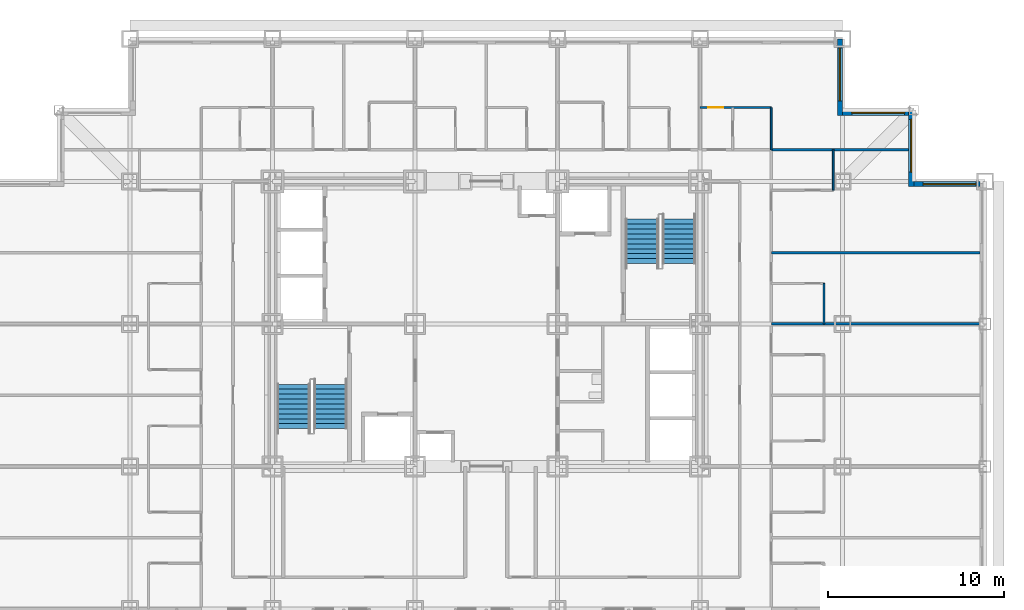
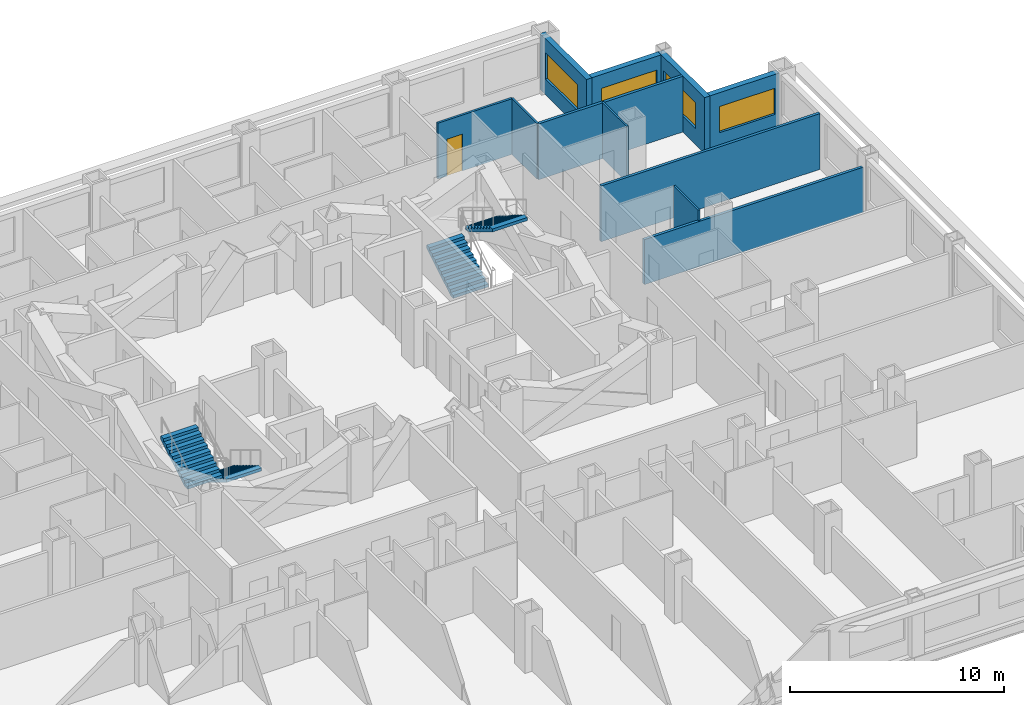
# One storey, part 10 of 12: 11 walls, 4 stair flights, 4 windows, 1 door, 5 openings, 2 elements without a shape of their own.
"""IFC4 building model written with IfcOpenShell, lengths in metres."""

from ifc_helpers import new_model, si_unit, direction, frame, frame_2d, origin, place, context, subcontext, project, spatial, rectangle, extrude, polygons, source, transform, mapped, material, layer, layer_set, type_object, element, fill, aggregate, save


model = new_model("IFC4")

# Units and contexts
model_context = context("Model", 3, precision=1e-05, world=origin(), true_north=direction((0.0, 1.0)))
body_context = subcontext(model_context, "Body", "Model", "MODEL_VIEW")
ifc_project = project(units=[si_unit("LENGTHUNIT", "METRE"), si_unit("AREAUNIT", "SQUARE_METRE"), si_unit("VOLUMEUNIT", "CUBIC_METRE"), si_unit("PLANEANGLEUNIT", "RADIAN"), si_unit("MASSUNIT", "GRAM", prefix="KILO")], contexts=[model_context])

# Site, building, storey
site_placement = place(None, origin())
site = spatial("IfcSite", under=ifc_project, at=site_placement, CompositionType="ELEMENT")
building_placement = place(site_placement, origin())
building = spatial("IfcBuilding", under=site, at=building_placement, Name="Kopane Lantern Tower", CompositionType="ELEMENT")
storey_placement = place(building_placement, frame((0.0, 0.0, 39.800048828125)))
storey = spatial("IfcBuildingStorey", under=building, at=storey_placement, Name="L08", CompositionType="ELEMENT", Elevation=39.800048828125)

# Wall, opening, door
ifc_material_1 = material(Name="Gypsum board on steel studs", Category="steel")
ifc_layer_1 = layer(ifc_material_1, 0.1201171875)
ifc_layer_set_1 = layer_set([ifc_layer_1], Name="APARTMENT INTERNAL WALL 120")
wall_type_1 = type_object("IfcWallType", Name="APARTMENT INTERNAL WALL 120", PredefinedType="PARTITIONING", material=ifc_layer_set_1)
wall_1_placement = place(storey_placement, frame((40.5, 44.699951171875, 0.0), z_axis=(0.0, 0.0, 1.0), x_axis=(1.0, 0.0, 0.0)))
wall_1 = element("IfcWall", 1, at=wall_1_placement, inside=storey, type_object=wall_type_1, Name="Apartment Internal Wall 120 L08", PredefinedType="PARTITIONING", context=body_context, shape_type="SweptSolid", body=[
    extrude(rectangle(XDim=4.050048828125, YDim=0.1201171875, at=frame_2d((2.02490234375, 0.0))), origin(), (0.0, 0.0, 1.0), 3.18994140625),
])
opening_1_placement = place(wall_1_placement, frame((0.47509765625, 0.0, 0.0)))
opening_1 = element("IfcOpeningElement", 2, at=opening_1_placement, cuts=wall_1, Name="Opening L08-071", PredefinedType="OPENING", context=body_context, shape_type="SweptSolid", body=[
    extrude(rectangle(XDim=0.85009765625, YDim=2.10009765625, at=frame_2d((0.425048828125, 1.050048828125))), frame((0.0, 0.070068359375, 0.0), z_axis=(0.0, -1.0, 0.0), x_axis=(1.0, 0.0, 0.0)), (0.0, 0.0, 1.0), 0.14013671875),
])
ifc_material_2 = material(Name="Timber door set", Category="wood")
door_type = type_object("IfcDoorType", Name="DOOR D4 850x2100", OperationType="SINGLE_SWING_LEFT", PredefinedType="DOOR", material=ifc_material_2)
door_placement = place(opening_1_placement, origin())
door = element("IfcDoor", 3, at=door_placement, inside=storey, type_object=door_type, Name="Door L08-071", OperationType="SINGLE_SWING_LEFT", OverallHeight=2.10009765625, OverallWidth=0.85009765625, PredefinedType="DOOR", context=body_context, shape_type="SweptSolid", body=[
    extrude(rectangle(XDim=0.85009765625, YDim=2.10009765625, at=frame_2d((0.425048828125, 1.050048828125))), frame((0.0, 0.02490234375, 0.0), z_axis=(0.0, -1.0, 0.0), x_axis=(1.0, 0.0, 0.0)), (0.0, 0.0, 1.0), 0.050048828125),
])
fill(opening_1, door)

# Walls
ifc_material_3 = material(Name="Moisture-resistant board on steel studs", Category="steel")
ifc_layer_2 = layer(ifc_material_3, 0.10009765625)
ifc_layer_set_2 = layer_set([ifc_layer_2], Name="BATHROOM WALL 100")
wall_type_2 = type_object("IfcWallType", Name="BATHROOM WALL 100", PredefinedType="PARTITIONING", material=ifc_layer_set_2)
for number, where, z_axis, x_axis, name in (
    (4, (47.550048828125, 32.39990234375, 0.0), (0.0, 0.0, 1.0), (0.0, 1.0, 0.0), "Bathroom Wall 100 L08"),
    (5, (48.06494140625, 40.0, 0.0), (0.0, 0.0, 1.0), (0.0, 1.0, 0.0), "Bathroom Wall 100 L08"),
):
    element("IfcWall", number, at=place(storey_placement, frame(where, z_axis=z_axis, x_axis=x_axis)), inside=storey, type_object=wall_type_2, Name=name, PredefinedType="PARTITIONING", context=body_context, shape_type="SweptSolid", body=[
        extrude(rectangle(XDim=2.300048828125, YDim=0.10009765625, at=frame_2d((1.14990234375, 0.0))), origin(), (0.0, 0.0, 1.0), 3.18994140625),
    ])
wall_2_placement = place(storey_placement, frame((44.550048828125, 42.300048828125, 0.0), z_axis=(0.0, 0.0, 1.0), x_axis=(0.0, 1.0, 0.0)))
element("IfcWall", 6, at=wall_2_placement, inside=storey, type_object=wall_type_2, Name="Bathroom Wall 100 L08", PredefinedType="PARTITIONING", context=body_context, shape_type="SweptSolid", body=[
    extrude(rectangle(XDim=2.39990234375, YDim=0.10009765625, at=frame_2d((1.199951171875, 0.0))), origin(), (0.0, 0.0, 1.0), 3.18994140625),
])
ifc_material_4 = material(Name="Gypsum board on steel studs", Category="steel")
ifc_layer_3 = layer(ifc_material_4, 0.14990234375)
ifc_layer_set_3 = layer_set([ifc_layer_3], Name="DEMISING WALL 150 EI 60")
wall_type_3 = type_object("IfcWallType", Name="DEMISING WALL 150 EI 60", PredefinedType="PARTITIONING", material=ifc_layer_set_3)
wall_3_placement = place(storey_placement, frame((44.550048828125, 32.39990234375, 0.0), z_axis=(0.0, 0.0, 1.0), x_axis=(1.0, 0.0, 0.0)))
element("IfcWall", 7, at=wall_3_placement, inside=storey, type_object=wall_type_3, Name="Demising Wall 150 Ei 60 L08", PredefinedType="PARTITIONING", context=body_context, shape_type="SweptSolid", body=[
    extrude(rectangle(XDim=11.849853515625, YDim=0.14990234375, at=frame_2d((5.9248046875, 0.0))), origin(), (0.0, 0.0, 1.0), 2.57763671875),
])
wall_4_placement = place(storey_placement, frame((44.550048828125, 36.449951171875, 0.0), z_axis=(0.0, 0.0, 1.0), x_axis=(1.0, 0.0, 0.0)))
element("IfcWall", 8, at=wall_4_placement, inside=storey, type_object=wall_type_3, Name="Demising Wall 150 Ei 60 L08", PredefinedType="PARTITIONING", context=body_context, shape_type="SweptSolid", body=[
    extrude(rectangle(XDim=11.849853515625, YDim=0.14990234375, at=frame_2d((5.9248046875, 0.0))), origin(), (0.0, 0.0, 1.0), 3.18994140625),
])
wall_5_placement = place(storey_placement, frame((44.550048828125, 42.300048828125, 0.0), z_axis=(0.0, 0.0, 1.0), x_axis=(1.0, 0.0, 0.0)))
element("IfcWall", 9, at=wall_5_placement, inside=storey, type_object=wall_type_3, Name="Demising Wall 150 Ei 60 L08", PredefinedType="PARTITIONING", context=body_context, shape_type="SweptSolid", body=[
    extrude(rectangle(XDim=7.800048828125, YDim=0.14990234375, at=frame_2d((3.89990234375, 0.0))), origin(), (0.0, 0.0, 1.0), 3.18994140625),
])

# Wall, opening, window
ifc_material_5 = material(Name="Terracotta rainscreen on light steel framing", Category="masonry")
ifc_layer_4 = layer(ifc_material_5, 0.300048828125)
ifc_layer_set_4 = layer_set([ifc_layer_4], Name="EXTERNAL WALL EW1 300 TERRACOTTA")
wall_type_4 = type_object("IfcWallType", Name="EXTERNAL WALL EW1 300 TERRACOTTA", PredefinedType="SOLIDWALL", material=ifc_layer_set_4)
wall_6_placement = place(storey_placement, frame((56.39990234375, 40.35009765625, 0.0), z_axis=(0.0, 0.0, 1.0), x_axis=(-1.0, 0.0, 0.0)))
wall_6 = element("IfcWall", 10, at=wall_6_placement, inside=storey, type_object=wall_type_4, Name="External wall N L08", PredefinedType="SOLIDWALL", context=body_context, shape_type="SweptSolid", body=[
    extrude(rectangle(XDim=3.75, YDim=0.300048828125, at=frame_2d((1.875, 0.0))), origin(), (0.0, 0.0, 1.0), 3.18994140625),
])
opening_2_placement = place(wall_6_placement, frame((0.22509765625, 0.0, 0.89990234375)))
opening_2 = element("IfcOpeningElement", 11, at=opening_2_placement, cuts=wall_6, Name="Opening WR300150", PredefinedType="OPENING", context=body_context, shape_type="SweptSolid", body=[
    extrude(rectangle(XDim=3.0, YDim=1.5, at=frame_2d((1.5, 0.75))), frame((0.0, 0.159912109375, 0.0), z_axis=(0.0, -1.0, 0.0), x_axis=(1.0, 0.0, 0.0)), (0.0, 0.0, 1.0), 0.320068359375),
])
ifc_material_6 = material(Name="Aluminium and clear glass", Category="aluminium")
window_type = type_object("IfcWindowType", Name="RIBBON WINDOW WR300150 3000x1500", PartitioningType="SINGLE_PANEL", PredefinedType="WINDOW", material=ifc_material_6)
window_1_placement = place(opening_2_placement, origin())
window_1 = element("IfcWindow", 12, at=window_1_placement, inside=storey, type_object=window_type, Name="Window N L08", OverallHeight=1.5, OverallWidth=3.0, PartitioningType="SINGLE_PANEL", PredefinedType="WINDOW", context=body_context, shape_type="SweptSolid", body=[
    extrude(rectangle(XDim=3.0, YDim=1.5, at=frame_2d((1.5, 0.75))), frame((0.0, 0.030029296875, 0.0), z_axis=(0.0, -1.0, 0.0), x_axis=(1.0, 0.0, 0.0)), (0.0, 0.0, 1.0), 0.06005859375),
])
fill(opening_2, window_1)

wall_7_placement = place(storey_placement, frame((52.5, 40.199951171875, 0.0), z_axis=(0.0, 0.0, 1.0), x_axis=(0.0, 1.0, 0.0)))
wall_7 = element("IfcWall", 13, at=wall_7_placement, inside=storey, type_object=wall_type_4, Name="External wall E L08", PredefinedType="SOLIDWALL", context=body_context, shape_type="SweptSolid", body=[
    extrude(rectangle(XDim=4.35009765625, YDim=0.300048828125, at=frame_2d((2.175048828125, 0.0))), origin(), (0.0, 0.0, 1.0), 3.18994140625),
])
opening_3_placement = place(wall_7_placement, frame((0.824951171875, 0.0, 0.89990234375)))
opening_3 = element("IfcOpeningElement", 14, at=opening_3_placement, cuts=wall_7, Name="Opening WR300150", PredefinedType="OPENING", context=body_context, shape_type="SweptSolid", body=[
    extrude(rectangle(XDim=3.0, YDim=1.5, at=frame_2d((1.5, 0.75))), frame((0.0, 0.159912109375, 0.0), z_axis=(0.0, -1.0, 0.0), x_axis=(1.0, 0.0, 0.0)), (0.0, 0.0, 1.0), 0.320068359375),
])
window_2_placement = place(opening_3_placement, origin())
window_2 = element("IfcWindow", 15, at=window_2_placement, inside=storey, type_object=window_type, Name="Window E L08", OverallHeight=1.5, OverallWidth=3.0, PartitioningType="SINGLE_PANEL", PredefinedType="WINDOW", context=body_context, shape_type="SweptSolid", body=[
    extrude(rectangle(XDim=3.0, YDim=1.5, at=frame_2d((1.5, 0.75))), frame((0.0, 0.030029296875, 0.0), z_axis=(0.0, -1.0, 0.0), x_axis=(1.0, 0.0, 0.0)), (0.0, 0.0, 1.0), 0.06005859375),
])
fill(opening_3, window_2)

wall_8_placement = place(storey_placement, frame((52.35009765625, 44.39990234375, 0.0), z_axis=(0.0, 0.0, 1.0), x_axis=(-1.0, 0.0, 0.0)))
wall_8 = element("IfcWall", 16, at=wall_8_placement, inside=storey, type_object=wall_type_4, Name="External wall N L08", PredefinedType="SOLIDWALL", context=body_context, shape_type="SweptSolid", body=[
    extrude(rectangle(XDim=3.75, YDim=0.300048828125, at=frame_2d((1.875, 0.0))), origin(), (0.0, 0.0, 1.0), 3.18994140625),
])
opening_4_placement = place(wall_8_placement, frame((0.22509765625, 0.0, 0.89990234375)))
opening_4 = element("IfcOpeningElement", 17, at=opening_4_placement, cuts=wall_8, Name="Opening WR300150", PredefinedType="OPENING", context=body_context, shape_type="SweptSolid", body=[
    extrude(rectangle(XDim=3.0, YDim=1.5, at=frame_2d((1.5, 0.75))), frame((0.0, 0.159912109375, 0.0), z_axis=(0.0, -1.0, 0.0), x_axis=(1.0, 0.0, 0.0)), (0.0, 0.0, 1.0), 0.320068359375),
])
window_3_placement = place(opening_4_placement, origin())
window_3 = element("IfcWindow", 18, at=window_3_placement, inside=storey, type_object=window_type, Name="Window N L08", OverallHeight=1.5, OverallWidth=3.0, PartitioningType="SINGLE_PANEL", PredefinedType="WINDOW", context=body_context, shape_type="SweptSolid", body=[
    extrude(rectangle(XDim=3.0, YDim=1.5, at=frame_2d((1.5, 0.75))), frame((0.0, 0.030029296875, 0.0), z_axis=(0.0, -1.0, 0.0), x_axis=(1.0, 0.0, 0.0)), (0.0, 0.0, 1.0), 0.06005859375),
])
fill(opening_4, window_3)

wall_9_placement = place(storey_placement, frame((48.449951171875, 44.25, 0.0), z_axis=(0.0, 0.0, 1.0), x_axis=(0.0, 1.0, 0.0)))
wall_9 = element("IfcWall", 19, at=wall_9_placement, inside=storey, type_object=wall_type_4, Name="External wall E L08", PredefinedType="SOLIDWALL", context=body_context, shape_type="SweptSolid", body=[
    extrude(rectangle(XDim=4.35009765625, YDim=0.300048828125, at=frame_2d((2.175048828125, 0.0))), origin(), (0.0, 0.0, 1.0), 3.18994140625),
])
opening_5_placement = place(wall_9_placement, frame((0.824951171875, 0.0, 0.89990234375)))
opening_5 = element("IfcOpeningElement", 20, at=opening_5_placement, cuts=wall_9, Name="Opening WR300150", PredefinedType="OPENING", context=body_context, shape_type="SweptSolid", body=[
    extrude(rectangle(XDim=3.0, YDim=1.5, at=frame_2d((1.5, 0.75))), frame((0.0, 0.159912109375, 0.0), z_axis=(0.0, -1.0, 0.0), x_axis=(1.0, 0.0, 0.0)), (0.0, 0.0, 1.0), 0.320068359375),
])
window_4_placement = place(opening_5_placement, origin())
window_4 = element("IfcWindow", 21, at=window_4_placement, inside=storey, type_object=window_type, Name="Window E L08", OverallHeight=1.5, OverallWidth=3.0, PartitioningType="SINGLE_PANEL", PredefinedType="WINDOW", context=body_context, shape_type="SweptSolid", body=[
    extrude(rectangle(XDim=3.0, YDim=1.5, at=frame_2d((1.5, 0.75))), frame((0.0, 0.030029296875, 0.0), z_axis=(0.0, -1.0, 0.0), x_axis=(1.0, 0.0, 0.0)), (0.0, 0.0, 1.0), 0.06005859375),
])
fill(opening_5, window_4)

# Stair, stair flights
ifc_material_7 = material(Name="Steel S355JR", Category="steel")
stair_type = type_object("IfcStairType", Name="EXIT STAIR 1900 HALF TURN", PredefinedType="HALF_TURN_STAIR", material=ifc_material_7)
stair_1_placement = place(storey_placement, origin())
stair_1 = element("IfcStair", 22, at=stair_1_placement, inside=storey, type_object=stair_type, Name="Exit stair ST1 L08", PredefinedType="HALF_TURN_STAIR")
ifc_material_8 = material(Name="Steel S355JR", Category="steel")
stair_flight_type = type_object("IfcStairFlightType", Name="STAIR FLIGHT 1900 STEEL", PredefinedType="STRAIGHT", material=ifc_material_8)
shared_shape = source(origin(), body_context, "Body", "Tessellation", [
    polygons([(2.520019531, 0.949951172, 1.530029297), (2.239990234, 0.949951172, 1.530029297), (2.239990234, -0.949951172, 1.530029297), (2.520019531, -0.949951172, 1.530029297), (0.288818359, 0.949951172, 0.0), (2.520019531, 0.949951172, 1.354736328), (2.520019531, -0.949951172, 1.354736328), (0.288818359, -0.949951172, 0.0), (0.0, 0.949951172, 0.0), (0.0, -0.949951172, 0.0), (0.280029297, 0.949951172, 0.169921875), (0.0, 0.949951172, 0.169921875), (0.0, -0.949951172, 0.169921875), (0.280029297, -0.949951172, 0.169921875), (0.280029297, 0.949951172, 0.340087891), (0.280029297, -0.949951172, 0.340087891), (0.560058594, 0.949951172, 0.340087891), (0.560058594, -0.949951172, 0.340087891), (0.560058594, 0.949951172, 0.510009766), (0.560058594, -0.949951172, 0.510009766), (0.840087891, 0.949951172, 0.510009766), (0.840087891, -0.949951172, 0.510009766), (0.840087891, 0.949951172, 0.679931641), (0.840087891, -0.949951172, 0.679931641), (1.120117188, 0.949951172, 0.679931641), (1.120117188, -0.949951172, 0.679931641), (1.120117188, 0.949951172, 0.850097656), (1.120117188, -0.949951172, 0.850097656), (1.399902344, 0.949951172, 0.850097656), (1.399902344, -0.949951172, 0.850097656), (1.399902344, 0.949951172, 1.020019531), (1.399902344, -0.949951172, 1.020019531), (1.679931641, 0.949951172, 1.020019531), (1.679931641, -0.949951172, 1.020019531), (1.679931641, 0.949951172, 1.189941406), (1.679931641, -0.949951172, 1.189941406), (1.959960938, 0.949951172, 1.189941406), (1.959960938, -0.949951172, 1.189941406), (1.959960938, 0.949951172, 1.360107422), (1.959960938, -0.949951172, 1.360107422), (2.239990234, 0.949951172, 1.360107422), (2.239990234, -0.949951172, 1.360107422), (0.0, 0.0, 0.004592483), (0.0, 0.0, 0.009184966), (0.0, 0.0, 0.013777449), (0.0, 0.0, 0.018369932), (0.0, 0.0, 0.022962416), (0.0, 0.0, 0.027554899), (0.0, 0.0, 0.032147382), (0.0, 0.0, 0.036739865), (0.0, 0.0, 0.041332348), (0.0, 0.0, 0.045924831), (0.0, 0.0, 0.050517314), (0.0, 0.0, 0.055109797), (0.0, 0.0, 0.05970228), (0.0, 0.0, 0.064294764), (0.0, 0.0, 0.068887247), (0.0, 0.0, 0.07347973), (0.0, 0.0, 0.078072213), (0.0, 0.0, 0.082664696), (0.0, 0.0, 0.087257179), (0.0, 0.0, 0.091849662), (0.0, 0.0, 0.096442145), (0.0, 0.0, 0.101034628), (0.0, 0.0, 0.105627111), (0.0, 0.0, 0.110219595), (0.0, 0.0, 0.114812078), (0.0, 0.0, 0.119404561), (0.0, 0.0, 0.123997044), (0.0, 0.0, 0.128589527), (0.0, 0.0, 0.13318201), (0.0, 0.0, 0.137774493), (0.0, 0.0, 0.142366976), (0.0, 0.0, 0.146959459), (0.0, 0.0, 0.151551943), (0.0, 0.0, 0.156144426), (0.0, 0.0, 0.160736909), (0.0, 0.0, 0.165329392), (2.520019531, 0.0, 1.359473976), (2.520019531, 0.0, 1.364211624), (2.520019531, 0.0, 1.368949272), (2.520019531, 0.0, 1.373686919), (2.520019531, 0.0, 1.378424567), (2.520019531, 0.0, 1.383162215), (2.520019531, 0.0, 1.387899863), (2.520019531, 0.0, 1.392637511), (2.520019531, 0.0, 1.397375158), (2.520019531, 0.0, 1.402112806), (2.520019531, 0.0, 1.406850454), (2.520019531, 0.0, 1.411588102), (2.520019531, 0.0, 1.41632575), (2.520019531, 0.0, 1.421063397), (2.520019531, 0.0, 1.425801045), (2.520019531, 0.0, 1.430538693), (2.520019531, 0.0, 1.435276341), (2.520019531, 0.0, 1.440013989), (2.520019531, 0.0, 1.444751636), (2.520019531, 0.0, 1.449489284), (2.520019531, 0.0, 1.454226932), (2.520019531, 0.0, 1.45896458), (2.520019531, 0.0, 1.463702228), (2.520019531, 0.0, 1.468439875), (2.520019531, 0.0, 1.473177523), (2.520019531, 0.0, 1.477915171), (2.520019531, 0.0, 1.482652819), (2.520019531, 0.0, 1.487390467), (2.520019531, 0.0, 1.492128114), (2.520019531, 0.0, 1.496865762), (2.520019531, 0.0, 1.50160341), (2.520019531, 0.0, 1.506341058), (2.520019531, 0.0, 1.511078706), (2.520019531, 0.0, 1.515816353), (2.520019531, 0.0, 1.520554001), (2.520019531, 0.0, 1.525291649)], [[[1, 2, 3]], [[1, 3, 4]], [[5, 6, 7]], [[5, 7, 8]], [[9, 5, 8]], [[9, 8, 10]], [[11, 12, 13]], [[11, 13, 14]], [[15, 11, 14]], [[15, 14, 16]], [[17, 15, 16]], [[17, 16, 18]], [[19, 17, 18]], [[19, 18, 20]], [[21, 19, 20]], [[21, 20, 22]], [[23, 21, 22]], [[23, 22, 24]], [[25, 23, 24]], [[25, 24, 26]], [[27, 25, 26]], [[27, 26, 28]], [[29, 27, 28]], [[29, 28, 30]], [[31, 29, 30]], [[31, 30, 32]], [[33, 31, 32]], [[33, 32, 34]], [[35, 33, 34]], [[35, 34, 36]], [[37, 35, 36]], [[37, 36, 38]], [[39, 37, 38]], [[39, 38, 40]], [[41, 39, 40]], [[41, 40, 42]], [[2, 41, 42]], [[2, 42, 3]], [[41, 1, 6]], [[37, 41, 6]], [[2, 1, 41]], [[33, 37, 6]], [[39, 41, 37]], [[35, 37, 33]], [[31, 33, 29]], [[5, 21, 25]], [[27, 29, 25]], [[17, 21, 5]], [[23, 25, 21]], [[11, 17, 5]], [[19, 21, 17]], [[9, 11, 5]], [[15, 17, 11]], [[12, 11, 9]], [[6, 5, 25]], [[6, 25, 29]], [[6, 29, 33]], [[7, 4, 42]], [[7, 42, 38]], [[42, 4, 3]], [[7, 38, 34]], [[38, 42, 40]], [[34, 38, 36]], [[30, 34, 32]], [[26, 22, 8]], [[26, 30, 28]], [[8, 22, 18]], [[22, 26, 24]], [[8, 18, 14]], [[18, 22, 20]], [[8, 14, 10]], [[14, 18, 16]], [[10, 14, 13]], [[26, 8, 7]], [[30, 26, 7]], [[34, 30, 7]], [[10, 43, 9]], [[10, 44, 43]], [[9, 43, 44]], [[10, 45, 44]], [[9, 44, 45]], [[10, 46, 45]], [[9, 45, 46]], [[10, 47, 46]], [[9, 46, 47]], [[10, 48, 47]], [[9, 47, 48]], [[10, 49, 48]], [[9, 48, 49]], [[10, 50, 49]], [[9, 49, 50]], [[10, 51, 50]], [[9, 50, 51]], [[10, 52, 51]], [[9, 51, 52]], [[10, 53, 52]], [[9, 52, 53]], [[10, 54, 53]], [[9, 53, 54]], [[10, 55, 54]], [[9, 54, 55]], [[10, 56, 55]], [[9, 55, 56]], [[10, 57, 56]], [[9, 56, 57]], [[10, 58, 57]], [[9, 57, 58]], [[10, 59, 58]], [[9, 58, 59]], [[10, 60, 59]], [[9, 59, 60]], [[10, 61, 60]], [[9, 60, 61]], [[10, 62, 61]], [[9, 61, 62]], [[10, 63, 62]], [[9, 62, 63]], [[10, 64, 63]], [[9, 63, 64]], [[10, 65, 64]], [[9, 64, 65]], [[10, 66, 65]], [[9, 65, 66]], [[10, 67, 66]], [[9, 66, 67]], [[10, 68, 67]], [[9, 67, 68]], [[10, 69, 68]], [[9, 68, 69]], [[10, 70, 69]], [[9, 69, 70]], [[10, 71, 70]], [[9, 70, 71]], [[10, 72, 71]], [[9, 71, 72]], [[10, 73, 72]], [[9, 72, 73]], [[10, 74, 73]], [[9, 73, 74]], [[10, 75, 74]], [[9, 74, 75]], [[10, 76, 75]], [[9, 75, 76]], [[10, 77, 76]], [[9, 76, 77]], [[10, 78, 77]], [[9, 77, 78]], [[10, 13, 78]], [[78, 13, 12]], [[9, 78, 12]], [[7, 6, 79]], [[7, 79, 80]], [[6, 80, 79]], [[7, 80, 81]], [[6, 81, 80]], [[7, 81, 82]], [[6, 82, 81]], [[7, 82, 83]], [[6, 83, 82]], [[7, 83, 84]], [[6, 84, 83]], [[7, 84, 85]], [[6, 85, 84]], [[7, 85, 86]], [[6, 86, 85]], [[7, 86, 87]], [[6, 87, 86]], [[7, 87, 88]], [[6, 88, 87]], [[7, 88, 89]], [[6, 89, 88]], [[7, 89, 90]], [[6, 90, 89]], [[7, 90, 91]], [[6, 91, 90]], [[7, 91, 92]], [[6, 92, 91]], [[7, 92, 93]], [[6, 93, 92]], [[7, 93, 94]], [[6, 94, 93]], [[7, 94, 95]], [[6, 95, 94]], [[7, 95, 96]], [[6, 96, 95]], [[7, 96, 97]], [[6, 97, 96]], [[7, 97, 98]], [[6, 98, 97]], [[7, 98, 99]], [[6, 99, 98]], [[7, 99, 100]], [[6, 100, 99]], [[7, 100, 101]], [[6, 101, 100]], [[7, 101, 102]], [[6, 102, 101]], [[7, 102, 103]], [[6, 103, 102]], [[7, 103, 104]], [[6, 104, 103]], [[7, 104, 105]], [[6, 105, 104]], [[7, 105, 106]], [[6, 106, 105]], [[7, 106, 107]], [[6, 107, 106]], [[7, 107, 108]], [[6, 108, 107]], [[7, 108, 109]], [[6, 109, 108]], [[7, 109, 110]], [[6, 110, 109]], [[7, 110, 111]], [[6, 111, 110]], [[7, 111, 112]], [[6, 112, 111]], [[7, 112, 113]], [[6, 113, 112]], [[7, 113, 114]], [[6, 114, 113]], [[7, 114, 4]], [[114, 1, 4]], [[6, 1, 114]]], closed=True),
])
stair_flight_1_placement = place(storey_placement, frame((19.5, 28.969970703125, 0.0), z_axis=(0.0, 0.0, 1.0), x_axis=(0.0, -1.0, 0.0)))
stair_flight_1 = element("IfcStairFlight", 23, at=stair_flight_1_placement, type_object=stair_flight_type, Name="ST1 flight 1", NumberOfRisers=10, NumberOfTreads=9, PredefinedType="STRAIGHT", RiserHeight=0.17, TreadLength=0.28, context=body_context, shape_type="MappedRepresentation", body=[
    mapped(shared_shape, transform((0.0, 0.0, 0.0))),
])
stair_flight_2_placement = place(storey_placement, frame((17.39990234375, 26.449951171875, 1.699951171875), z_axis=(0.0, 0.0, 1.0), x_axis=(0.0, 1.0, 0.0)))
stair_flight_2 = element("IfcStairFlight", 24, at=stair_flight_2_placement, type_object=stair_flight_type, Name="ST1 flight 2", NumberOfRisers=10, NumberOfTreads=9, PredefinedType="STRAIGHT", RiserHeight=0.17, TreadLength=0.28, context=body_context, shape_type="MappedRepresentation", body=[
    mapped(shared_shape, transform((0.0, 0.0, 0.0))),
])
aggregate(stair_1, [stair_flight_1, stair_flight_2])

stair_2_placement = place(storey_placement, origin())
stair_2 = element("IfcStair", 25, at=stair_2_placement, inside=storey, type_object=stair_type, Name="Exit stair ST2 L08", PredefinedType="HALF_TURN_STAIR")
stair_flight_3_placement = place(storey_placement, frame((37.199951171875, 35.830078125, 0.0), z_axis=(0.0, 0.0, 1.0), x_axis=(0.0, 1.0, 0.0)))
stair_flight_3 = element("IfcStairFlight", 26, at=stair_flight_3_placement, type_object=stair_flight_type, Name="ST2 flight 1", NumberOfRisers=10, NumberOfTreads=9, PredefinedType="STRAIGHT", RiserHeight=0.17, TreadLength=0.28, context=body_context, shape_type="MappedRepresentation", body=[
    mapped(shared_shape, transform((0.0, 0.0, 0.0))),
])
stair_flight_4_placement = place(storey_placement, frame((39.300048828125, 38.35009765625, 1.699951171875), z_axis=(0.0, 0.0, 1.0), x_axis=(0.0, -1.0, 0.0)))
stair_flight_4 = element("IfcStairFlight", 27, at=stair_flight_4_placement, type_object=stair_flight_type, Name="ST2 flight 2", NumberOfRisers=10, NumberOfTreads=9, PredefinedType="STRAIGHT", RiserHeight=0.17, TreadLength=0.28, context=body_context, shape_type="MappedRepresentation", body=[
    mapped(shared_shape, transform((0.0, 0.0, 0.0))),
])
aggregate(stair_2, [stair_flight_3, stair_flight_4])

save(model, "model.ifc")
